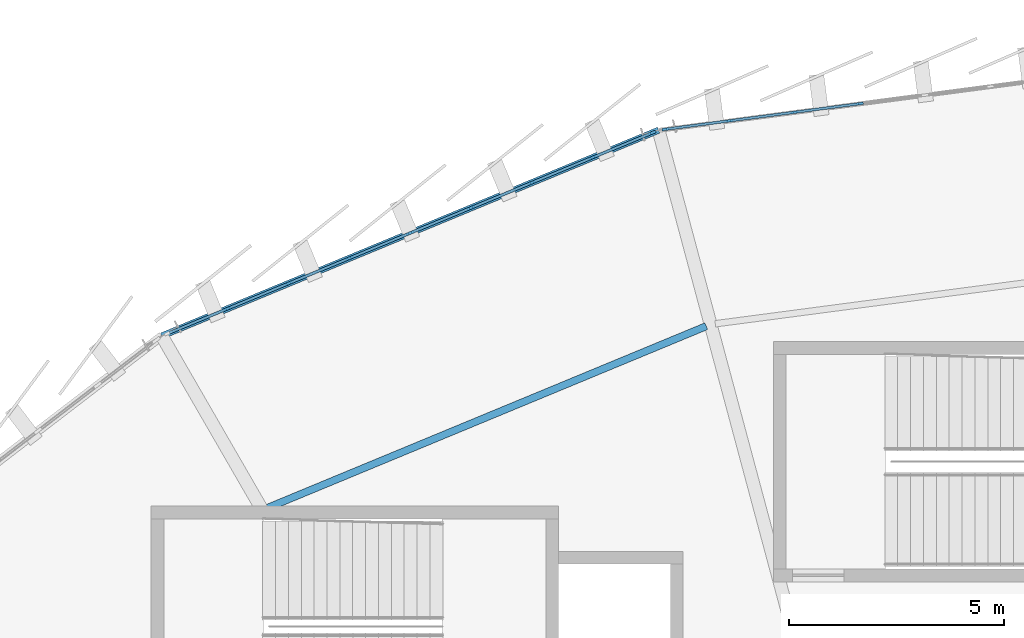
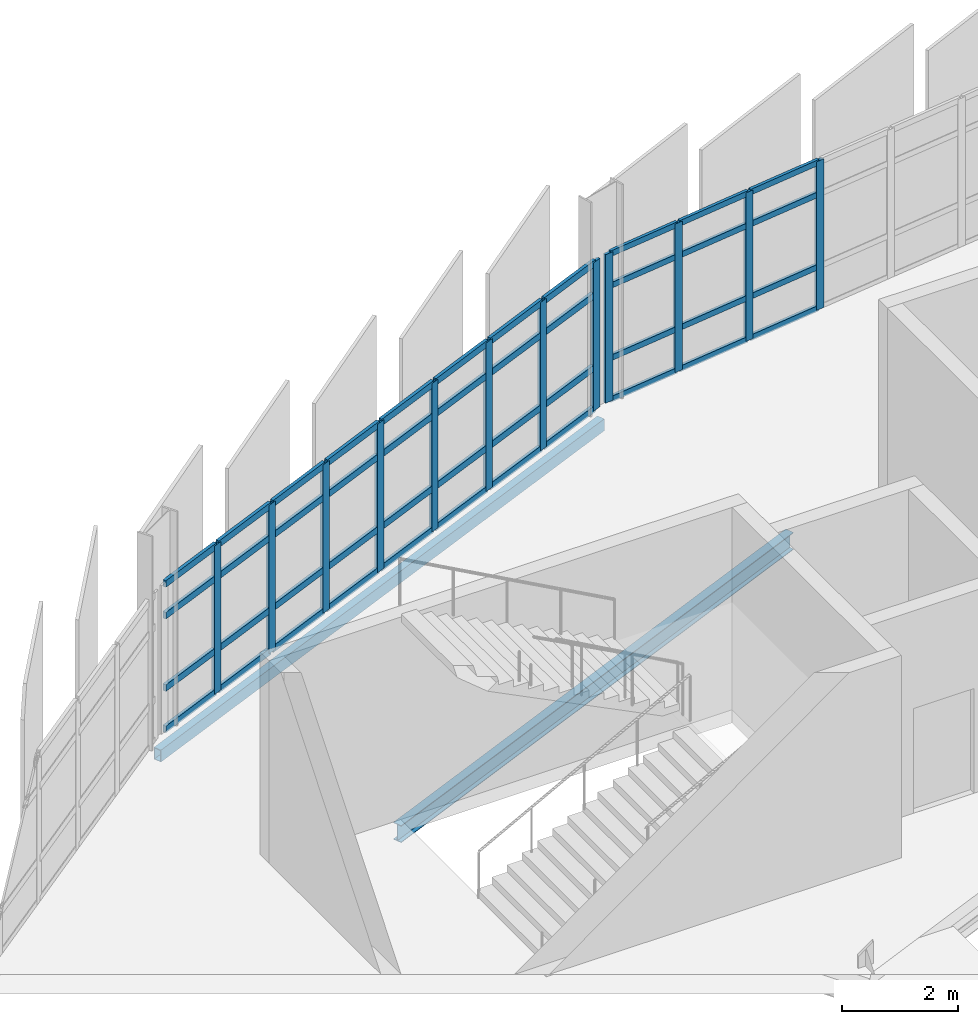
# One storey, part 56 of 134: 56 members, 2 beams, 2 elements without a shape of their own.
"""IFC4 building model written with IfcOpenShell, lengths in metres."""

import ifcopenshell
import ifcopenshell.guid

model = None  # the IFC model being written
_history = None  # IfcOwnerHistory: only IFC2X3 demands one
_inside = {}  # id of a spatial element -> (the spatial element, [elements in it])
_under = {}  # id of a project, library or spatial element -> (it, [spatial elements below it])
_declared = {}  # id of a project -> (the project, [libraries it declares])
_typed = {}  # id of a type object -> (the type object, [elements of that type])
_made_of = {}  # id of a material, layer set ... -> (it, [elements and type objects made of it])


def new_model(schema):
    """Start an empty IFC model of exactly this schema.

    Asked for "IFC4X3", IfcOpenShell would pick the latest addendum, in which some entities
    have other attributes; the version numbers below select the first issue.
    IFC2X3 requires an IfcOwnerHistory on every rooted entity: one is made here for all.
    """
    global model, _history
    if schema == "IFC4X3":
        model = ifcopenshell.file(schema_version=(4, 3, 0, 0))
    else:
        model = ifcopenshell.file(schema=schema)
    _inside.clear()
    _under.clear()
    _declared.clear()
    _typed.clear()
    _made_of.clear()
    _history = None
    if model.schema == "IFC2X3":
        org = make("IfcOrganization", Name="unknown")
        user = make(
            "IfcPersonAndOrganization",
            ThePerson=make("IfcPerson", FamilyName="unknown"),
            TheOrganization=org,
        )
        app = make(
            "IfcApplication",
            ApplicationDeveloper=org,
            Version="unknown",
            ApplicationFullName="unknown",
            ApplicationIdentifier="unknown",
        )
        _history = make(
            "IfcOwnerHistory",
            OwningUser=user,
            OwningApplication=app,
            ChangeAction="ADDED",
            CreationDate=0,
        )
    return model


def make(cls, **values):
    """One entity of the class cls with the attributes given. An attribute that is None is left unset."""
    return model.create_entity(
        cls, **{name: value for name, value in values.items() if value is not None}
    )


def rooted(cls, **values):
    """An entity with a GlobalId (a new one), such as an element, a storey or a relation."""
    return make(cls, GlobalId=ifcopenshell.guid.new(), OwnerHistory=_history, **values)


def si_unit(unit_type, name, prefix=None):
    """IfcSIUnit, for example si_unit("LENGTHUNIT", "METRE", prefix="MILLI")."""
    return make("IfcSIUnit", UnitType=unit_type, Prefix=prefix, Name=name)


def assignment(units):
    """IfcUnitAssignment: the units of a project."""
    return None if units is None else make("IfcUnitAssignment", Units=units)


def point(xyz):
    """IfcCartesianPoint."""
    return None if xyz is None else make("IfcCartesianPoint", Coordinates=xyz)


def direction(xyz):
    """IfcDirection."""
    return None if xyz is None else make("IfcDirection", DirectionRatios=xyz)


def frame(location, z_axis=None, x_axis=None):
    """IfcAxis2Placement3D, a coordinate frame: its origin and axes. An axis left out is left unset."""
    return make(
        "IfcAxis2Placement3D",
        Location=point(location),
        Axis=direction(z_axis),
        RefDirection=direction(x_axis),
    )


def frame_2d(location, x_axis=None):
    """IfcAxis2Placement2D, a coordinate frame in the plane: its origin and x axis."""
    return make(
        "IfcAxis2Placement2D", Location=point(location), RefDirection=direction(x_axis)
    )


def origin():
    """The frame at (0, 0, 0) with its axes left unset."""
    return frame((0.0, 0.0, 0.0))


def origin_2d():
    """The frame at (0, 0) in the plane with its x axis left unset."""
    return frame_2d((0.0, 0.0))


def place(relative_to, where):
    """IfcLocalPlacement: puts the frame where relative to a parent placement (None: the world)."""
    return make(
        "IfcLocalPlacement", PlacementRelTo=relative_to, RelativePlacement=where
    )


def context(
    kind, dimensions, precision=None, world=None, true_north=None, identifier=None
):
    """IfcGeometricRepresentationContext, for example the 3D "Model" context."""
    return make(
        "IfcGeometricRepresentationContext",
        ContextIdentifier=identifier,
        ContextType=kind,
        CoordinateSpaceDimension=dimensions,
        Precision=precision,
        WorldCoordinateSystem=world,
        TrueNorth=true_north,
    )


def subcontext(parent, identifier, kind, view, scale=None):
    """IfcGeometricRepresentationSubContext, for example "Body" below "Model"."""
    return make(
        "IfcGeometricRepresentationSubContext",
        ContextIdentifier=identifier,
        ContextType=kind,
        ParentContext=parent,
        TargetScale=scale,
        TargetView=view,
    )


def project(units=None, contexts=None):
    """IfcProject with its units and contexts."""
    return rooted(
        "IfcProject",
        Name="project",
        RepresentationContexts=contexts,
        UnitsInContext=assignment(units),
    )


def spatial(cls, under=None, at=None, **own):
    """A site, building, storey or space (cls), placed at a placement, below another one or the project."""
    s = rooted(cls, ObjectPlacement=at, **own)
    if under is not None:
        _under.setdefault(under.id(), (under, []))[1].append(s)
    return s


def profile(cls, at=None, kind="AREA", **sizes):
    """A parametric profile (cls). Its sizes go by their IFC names, for example OverallWidth=200.0."""
    return make(cls, ProfileType=kind, Position=at, **sizes)


def rectangle(**sizes):
    """IfcRectangleProfileDef."""
    return profile("IfcRectangleProfileDef", **sizes)


def hollow_rectangle(**sizes):
    """IfcRectangleHollowProfileDef."""
    return profile("IfcRectangleHollowProfileDef", **sizes)


def i_section(**sizes):
    """IfcIShapeProfileDef."""
    return profile("IfcIShapeProfileDef", **sizes)


def extrude(swept, where, along, depth):
    """IfcExtrudedAreaSolid: the profile swept, set in the frame where, extruded along a direction by depth."""
    return make(
        "IfcExtrudedAreaSolid",
        SweptArea=swept,
        Position=where,
        ExtrudedDirection=direction(along),
        Depth=depth,
    )


def shape(context_of_items, identifier, shape_type, items):
    """IfcShapeRepresentation: the items that make up one representation, for example the "Body"."""
    return make(
        "IfcShapeRepresentation",
        ContextOfItems=context_of_items,
        RepresentationIdentifier=identifier,
        RepresentationType=shape_type,
        Items=items,
    )


def material(Name=None, Category=None):
    """IfcMaterial."""
    return make("IfcMaterial", Name=Name, Category=Category)


def layer(
    of_material, thickness, ventilated=None, Name=None, Category=None, Priority=None
):
    """IfcMaterialLayer: one layer of a wall or slab, of a material (None: an air gap)."""
    return make(
        "IfcMaterialLayer",
        Material=of_material,
        LayerThickness=thickness,
        IsVentilated=ventilated,
        Name=Name,
        Category=Category,
        Priority=Priority,
    )


def layer_set(layers, Name=None):
    """IfcMaterialLayerSet."""
    return make("IfcMaterialLayerSet", MaterialLayers=layers, LayerSetName=Name)


def material_profile(
    of_material, cross_section, Name=None, Category=None, Priority=None
):
    """IfcMaterialProfile: a cross section and its material."""
    return make(
        "IfcMaterialProfile",
        Name=Name,
        Material=of_material,
        Profile=cross_section,
        Priority=Priority,
        Category=Category,
    )


def profile_set(profiles, Name=None, composite=None):
    """IfcMaterialProfileSet."""
    return make(
        "IfcMaterialProfileSet",
        Name=Name,
        MaterialProfiles=profiles,
        CompositeProfile=composite,
    )


def made_of(thing, what):
    """Note that an element or type object is made of a material, layer set ...; save() writes the relation."""
    if what is not None:
        _made_of.setdefault(what.id(), (what, []))[1].append(thing)
    return thing


def type_object(cls, material=None, **own):
    """A type object (cls), such as IfcWallType, which elements share."""
    return made_of(rooted(cls, **own), material)


def element(
    cls,
    number,
    at=None,
    inside=None,
    cuts=None,
    type_object=None,
    material=None,
    context=None,
    identifier="Body",
    shape_type=None,
    held_by="IfcProductDefinitionShape",
    body=None,
    shapes=None,
    **own,
):
    """One element of the class cls, such as IfcWall. Its Tag is "e" and its number.

    at: its placement. inside: the storey or other place that contains it. cuts: it is an
    opening in that element (IfcRelVoidsElement). A single representation is given by context,
    identifier, shape_type and body (its items); several are given by shapes. held_by: the class
    of the entity that holds the representations. save() writes the other relations.
    """
    e = rooted(cls, Tag="e%d" % number, ObjectPlacement=at, **own)
    if body is not None:
        shapes = [shape(context, identifier, shape_type, body)]
    if shapes is not None:
        e.Representation = make(held_by, Representations=shapes)
    if inside is not None:
        _inside.setdefault(inside.id(), (inside, []))[1].append(e)
    if cuts is not None:
        rooted(
            "IfcRelVoidsElement", RelatingBuildingElement=cuts, RelatedOpeningElement=e
        )
    if type_object is not None:
        _typed.setdefault(type_object.id(), (type_object, []))[1].append(e)
    return made_of(e, material)


def aggregate(whole, parts):
    """IfcRelAggregates: a whole, such as a stair, and the parts it consists of."""
    return rooted("IfcRelAggregates", RelatingObject=whole, RelatedObjects=parts)


def save(model, path):
    """Write the relations noted so far, then the file.

    IfcRelAggregates (storeys below a building ...), IfcRelContainedInSpatialStructure (elements
    in a storey), IfcRelDefinesByType, IfcRelAssociatesMaterial and IfcRelDeclares: one each for
    every whole, place, type object, material and project.
    """
    for whole, parts in _under.values():
        aggregate(whole, parts)
    for where, things in _inside.values():
        rooted(
            "IfcRelContainedInSpatialStructure",
            RelatedElements=things,
            RelatingStructure=where,
        )
    for kind, things in _typed.values():
        rooted("IfcRelDefinesByType", RelatedObjects=things, RelatingType=kind)
    for what, things in _made_of.values():
        rooted("IfcRelAssociatesMaterial", RelatedObjects=things, RelatingMaterial=what)
    for by, libraries in _declared.values():
        rooted("IfcRelDeclares", RelatingContext=by, RelatedDefinitions=libraries)
    model.write(path)


model = new_model("IFC4")

# Units and contexts
model_context = context("Model", 3, precision=1e-05, world=origin(), true_north=direction((0.0, 1.0)))
body_context = subcontext(model_context, "Body", "Model", "MODEL_VIEW")
ifc_project = project(units=[si_unit("LENGTHUNIT", "METRE"), si_unit("AREAUNIT", "SQUARE_METRE"), si_unit("VOLUMEUNIT", "CUBIC_METRE"), si_unit("PLANEANGLEUNIT", "RADIAN"), si_unit("MASSUNIT", "GRAM", prefix="KILO")], contexts=[model_context])

# Site, building, storey
site_placement = place(None, origin())
site = spatial("IfcSite", under=ifc_project, at=site_placement, CompositionType="ELEMENT")
building_placement = place(site_placement, origin())
building = spatial("IfcBuilding", under=site, at=building_placement, Name="Sohan Crest Arena", CompositionType="ELEMENT")
storey_placement = place(building_placement, frame((0.0, 0.0, 4.5)))
storey = spatial("IfcBuildingStorey", under=building, at=storey_placement, Name="L01", CompositionType="ELEMENT", Elevation=4.5)

# Curtain wall, members
ifc_material_1 = material(Name="Thermally broken anodised aluminium", Category="aluminium")
ifc_layer_1 = layer(ifc_material_1, 0.179931640625, Name="Thermally broken anodised aluminium")
ifc_layer_set_1 = layer_set([ifc_layer_1], Name="Thermally broken anodised aluminium")
curtain_wall_type_1 = type_object("IfcCurtainWallType", Name="ARC-CW01", PredefinedType="NOTDEFINED", material=ifc_layer_set_1)
curtain_wall_1_placement = place(storey_placement, origin())
curtain_wall_1 = element("IfcCurtainWall", 1, at=curtain_wall_1_placement, inside=storey, type_object=curtain_wall_type_1, Name="Unitised curtain wall CW-020", PredefinedType="NOTDEFINED")
ifc_material_profile_1 = material_profile(ifc_material_1, rectangle(XDim=0.06005859375, YDim=0.159912109375, at=origin_2d()), Name="ALU-MULL 60x160")
ifc_profile_set_1 = profile_set([ifc_material_profile_1], Name="Thermally broken anodised aluminium")
member_type_1 = type_object("IfcMemberType", Name="ARC-CW-ML01", PredefinedType="MULLION", material=ifc_profile_set_1)
member_1_placement = place(storey_placement, frame((90.267822265625, 124.981689453125, 0.0), z_axis=(0.0, 0.0, 1.0), x_axis=(0.130562031094, -0.991440142438, 0.0)))
member_1 = element("IfcMember", 2, at=member_1_placement, type_object=member_type_1, Name="CW-020 mullion 6", PredefinedType="MULLION", context=body_context, shape_type="SweptSolid", body=[
    extrude(rectangle(XDim=0.06005859375, YDim=0.159912109375, at=origin_2d()), origin(), (0.0, 0.0, 1.0), 3.1201171875),
])
member_2_placement = place(storey_placement, frame((88.747314453125, 124.781494140625, 0.0), z_axis=(0.0, 0.0, 1.0), x_axis=(0.130562031094, -0.991440142438, 0.0)))
member_2 = element("IfcMember", 3, at=member_2_placement, type_object=member_type_1, Name="CW-020 mullion 7", PredefinedType="MULLION", context=body_context, shape_type="SweptSolid", body=[
    extrude(rectangle(XDim=0.06005859375, YDim=0.159912109375, at=origin_2d()), origin(), (0.0, 0.0, 1.0), 3.1201171875),
])
member_3_placement = place(storey_placement, frame((87.2265625, 124.581298828125, 0.0), z_axis=(0.0, 0.0, 1.0), x_axis=(0.130562031094, -0.991440142438, 0.0)))
member_3 = element("IfcMember", 4, at=member_3_placement, type_object=member_type_1, Name="CW-020 mullion 8", PredefinedType="MULLION", context=body_context, shape_type="SweptSolid", body=[
    extrude(rectangle(XDim=0.06005859375, YDim=0.159912109375, at=origin_2d()), origin(), (0.0, 0.0, 1.0), 3.1201171875),
])
member_4_placement = place(storey_placement, frame((85.73583984375, 124.385009765625, 0.0), z_axis=(0.0, 0.0, 1.0), x_axis=(0.130562031094, -0.991440142438, 0.0)))
member_4 = element("IfcMember", 5, at=member_4_placement, type_object=member_type_1, Name="CW-020 mullion 9", PredefinedType="MULLION", context=body_context, shape_type="SweptSolid", body=[
    extrude(rectangle(XDim=0.06005859375, YDim=0.159912109375, at=origin_2d()), origin(), (0.0, 0.0, 1.0), 3.1201171875),
])

ifc_layer_2 = layer(ifc_material_1, 0.199951171875, Name="Thermally broken anodised aluminium")
ifc_layer_set_2 = layer_set([ifc_layer_2], Name="Thermally broken anodised aluminium")
curtain_wall_type_2 = type_object("IfcCurtainWallType", Name="ARC-CW02", PredefinedType="NOTDEFINED", material=ifc_layer_set_2)
curtain_wall_2_placement = place(storey_placement, origin())
curtain_wall_2 = element("IfcCurtainWall", 6, at=curtain_wall_2_placement, inside=storey, type_object=curtain_wall_type_2, Name="Unitised curtain wall CW-021", PredefinedType="NOTDEFINED")
ifc_material_profile_2 = material_profile(ifc_material_1, rectangle(XDim=0.06494140625, YDim=0.179931640625, at=origin_2d()), Name="ALU-MULL 65x180")
ifc_profile_set_2 = profile_set([ifc_material_profile_2], Name="Thermally broken anodised aluminium")
member_type_2 = type_object("IfcMemberType", Name="ARC-CW-ML02", PredefinedType="MULLION", material=ifc_profile_set_2)
member_5_placement = place(storey_placement, frame((85.427001953125, 124.301513671875, 0.0), z_axis=(0.0, 0.0, 1.0), x_axis=(0.382618103525, -0.923906589897, 0.0)))
member_5 = element("IfcMember", 7, at=member_5_placement, type_object=member_type_2, Name="CW-021 mullion 1", PredefinedType="MULLION", context=body_context, shape_type="SweptSolid", body=[
    extrude(rectangle(XDim=0.06494140625, YDim=0.179931640625, at=origin_2d()), origin(), (0.0, 0.0, 1.0), 3.1201171875),
])
member_6_placement = place(storey_placement, frame((84.039794921875, 123.72705078125, 0.0), z_axis=(0.0, 0.0, 1.0), x_axis=(0.382618103525, -0.923906589897, 0.0)))
member_6 = element("IfcMember", 8, at=member_6_placement, type_object=member_type_2, Name="CW-021 mullion 2", PredefinedType="MULLION", context=body_context, shape_type="SweptSolid", body=[
    extrude(rectangle(XDim=0.06494140625, YDim=0.179931640625, at=origin_2d()), origin(), (0.0, 0.0, 1.0), 3.1201171875),
])
member_7_placement = place(storey_placement, frame((82.622802734375, 123.14013671875, 0.0), z_axis=(0.0, 0.0, 1.0), x_axis=(0.382618103525, -0.923906589897, 0.0)))
member_7 = element("IfcMember", 9, at=member_7_placement, type_object=member_type_2, Name="CW-021 mullion 3", PredefinedType="MULLION", context=body_context, shape_type="SweptSolid", body=[
    extrude(rectangle(XDim=0.06494140625, YDim=0.179931640625, at=origin_2d()), origin(), (0.0, 0.0, 1.0), 3.1201171875),
])
member_8_placement = place(storey_placement, frame((81.20556640625, 122.553466796875, 0.0), z_axis=(0.0, 0.0, 1.0), x_axis=(0.382618103525, -0.923906589897, 0.0)))
member_8 = element("IfcMember", 10, at=member_8_placement, type_object=member_type_2, Name="CW-021 mullion 4", PredefinedType="MULLION", context=body_context, shape_type="SweptSolid", body=[
    extrude(rectangle(XDim=0.06494140625, YDim=0.179931640625, at=origin_2d()), origin(), (0.0, 0.0, 1.0), 3.1201171875),
])
member_9_placement = place(storey_placement, frame((79.78857421875, 121.966552734375, 0.0), z_axis=(0.0, 0.0, 1.0), x_axis=(0.382618103525, -0.923906589897, 0.0)))
member_9 = element("IfcMember", 11, at=member_9_placement, type_object=member_type_2, Name="CW-021 mullion 5", PredefinedType="MULLION", context=body_context, shape_type="SweptSolid", body=[
    extrude(rectangle(XDim=0.06494140625, YDim=0.179931640625, at=origin_2d()), origin(), (0.0, 0.0, 1.0), 3.1201171875),
])
member_10_placement = place(storey_placement, frame((78.371337890625, 121.379638671875, 0.0), z_axis=(0.0, 0.0, 1.0), x_axis=(0.382618103525, -0.923906589897, 0.0)))
member_10 = element("IfcMember", 12, at=member_10_placement, type_object=member_type_2, Name="CW-021 mullion 6", PredefinedType="MULLION", context=body_context, shape_type="SweptSolid", body=[
    extrude(rectangle(XDim=0.06494140625, YDim=0.179931640625, at=origin_2d()), origin(), (0.0, 0.0, 1.0), 3.1201171875),
])
member_11_placement = place(storey_placement, frame((76.954345703125, 120.792724609375, 0.0), z_axis=(0.0, 0.0, 1.0), x_axis=(0.382618103525, -0.923906589897, 0.0)))
member_11 = element("IfcMember", 13, at=member_11_placement, type_object=member_type_2, Name="CW-021 mullion 7", PredefinedType="MULLION", context=body_context, shape_type="SweptSolid", body=[
    extrude(rectangle(XDim=0.06494140625, YDim=0.179931640625, at=origin_2d()), origin(), (0.0, 0.0, 1.0), 3.1201171875),
])
member_12_placement = place(storey_placement, frame((75.537109375, 120.205810546875, 0.0), z_axis=(0.0, 0.0, 1.0), x_axis=(0.382618103525, -0.923906589897, 0.0)))
member_12 = element("IfcMember", 14, at=member_12_placement, type_object=member_type_2, Name="CW-021 mullion 8", PredefinedType="MULLION", context=body_context, shape_type="SweptSolid", body=[
    extrude(rectangle(XDim=0.06494140625, YDim=0.179931640625, at=origin_2d()), origin(), (0.0, 0.0, 1.0), 3.1201171875),
])

# Member
ifc_material_profile_3 = material_profile(ifc_material_1, rectangle(XDim=0.06005859375, YDim=0.1201171875, at=origin_2d()), Name="ALU-TRAN 60x120")
ifc_profile_set_3 = profile_set([ifc_material_profile_3], Name="Thermally broken anodised aluminium")
member_type_3 = type_object("IfcMemberType", Name="ARC-CW-TR01", PredefinedType="USERDEFINED", material=ifc_profile_set_3)
member_13_placement = place(storey_placement, frame((90.238037109375, 124.977783203125, 0.030029296875), z_axis=(-0.991440755943, -0.130557372273, 0.0), x_axis=(0.130557372273, -0.991440755943, 0.0)))
member_13 = element("IfcMember", 15, at=member_13_placement, type_object=member_type_3, Name="CW-020 transom 6.1", ObjectType="TRANSOM", PredefinedType="USERDEFINED", context=body_context, shape_type="SweptSolid", body=[
    extrude(rectangle(XDim=0.06005859375, YDim=0.1201171875, at=origin_2d()), origin(), (0.0, 0.0, 1.0), 1.4736328125),
])

member_14_placement = place(storey_placement, frame((90.238037109375, 124.977783203125, 0.89990234375), z_axis=(-0.991440755943, -0.130557372273, 0.0), x_axis=(0.130557372273, -0.991440755943, 0.0)))
member_14 = element("IfcMember", 16, at=member_14_placement, type_object=member_type_3, Name="CW-020 transom 6.2", ObjectType="TRANSOM", PredefinedType="USERDEFINED", context=body_context, shape_type="SweptSolid", body=[
    extrude(rectangle(XDim=0.06005859375, YDim=0.1201171875, at=origin_2d()), origin(), (0.0, 0.0, 1.0), 1.4736328125),
])

member_15_placement = place(storey_placement, frame((90.238037109375, 124.977783203125, 2.419921875), z_axis=(-0.991440755943, -0.130557372273, 0.0), x_axis=(0.130557372273, -0.991440755943, 0.0)))
member_15 = element("IfcMember", 17, at=member_15_placement, type_object=member_type_3, Name="CW-020 transom 6.3", ObjectType="TRANSOM", PredefinedType="USERDEFINED", context=body_context, shape_type="SweptSolid", body=[
    extrude(rectangle(XDim=0.06005859375, YDim=0.1201171875, at=origin_2d()), origin(), (0.0, 0.0, 1.0), 1.4736328125),
])

member_16_placement = place(storey_placement, frame((90.238037109375, 124.977783203125, 3.090087890625), z_axis=(-0.991440755943, -0.130557372273, 0.0), x_axis=(0.130557372273, -0.991440755943, 0.0)))
member_16 = element("IfcMember", 18, at=member_16_placement, type_object=member_type_3, Name="CW-020 transom 6.4", ObjectType="TRANSOM", PredefinedType="USERDEFINED", context=body_context, shape_type="SweptSolid", body=[
    extrude(rectangle(XDim=0.06005859375, YDim=0.1201171875, at=origin_2d()), origin(), (0.0, 0.0, 1.0), 1.4736328125),
])

member_17_placement = place(storey_placement, frame((88.717529296875, 124.777587890625, 0.030029296875), z_axis=(-0.991443579334, -0.130535929911, 0.0), x_axis=(0.130535929911, -0.991443579334, 0.0)))
member_17 = element("IfcMember", 19, at=member_17_placement, type_object=member_type_3, Name="CW-020 transom 7.1", ObjectType="TRANSOM", PredefinedType="USERDEFINED", context=body_context, shape_type="SweptSolid", body=[
    extrude(rectangle(XDim=0.06005859375, YDim=0.1201171875, at=origin_2d()), origin(), (0.0, 0.0, 1.0), 1.473876953125),
])

member_18_placement = place(storey_placement, frame((88.717529296875, 124.777587890625, 0.89990234375), z_axis=(-0.991443579334, -0.130535929911, 0.0), x_axis=(0.130535929911, -0.991443579334, 0.0)))
member_18 = element("IfcMember", 20, at=member_18_placement, type_object=member_type_3, Name="CW-020 transom 7.2", ObjectType="TRANSOM", PredefinedType="USERDEFINED", context=body_context, shape_type="SweptSolid", body=[
    extrude(rectangle(XDim=0.06005859375, YDim=0.1201171875, at=origin_2d()), origin(), (0.0, 0.0, 1.0), 1.473876953125),
])

member_19_placement = place(storey_placement, frame((88.717529296875, 124.777587890625, 2.419921875), z_axis=(-0.991443579334, -0.130535929911, 0.0), x_axis=(0.130535929911, -0.991443579334, 0.0)))
member_19 = element("IfcMember", 21, at=member_19_placement, type_object=member_type_3, Name="CW-020 transom 7.3", ObjectType="TRANSOM", PredefinedType="USERDEFINED", context=body_context, shape_type="SweptSolid", body=[
    extrude(rectangle(XDim=0.06005859375, YDim=0.1201171875, at=origin_2d()), origin(), (0.0, 0.0, 1.0), 1.473876953125),
])

member_20_placement = place(storey_placement, frame((88.717529296875, 124.777587890625, 3.090087890625), z_axis=(-0.991443579334, -0.130535929911, 0.0), x_axis=(0.130535929911, -0.991443579334, 0.0)))
member_20 = element("IfcMember", 22, at=member_20_placement, type_object=member_type_3, Name="CW-020 transom 7.4", ObjectType="TRANSOM", PredefinedType="USERDEFINED", context=body_context, shape_type="SweptSolid", body=[
    extrude(rectangle(XDim=0.06005859375, YDim=0.1201171875, at=origin_2d()), origin(), (0.0, 0.0, 1.0), 1.473876953125),
])

member_21_placement = place(storey_placement, frame((87.19677734375, 124.577392578125, 0.030029296875), z_axis=(-0.991442204385, -0.130546372469, 0.0), x_axis=(0.130546372469, -0.991442204385, 0.0)))
member_21 = element("IfcMember", 23, at=member_21_placement, type_object=member_type_3, Name="CW-020 transom 8.1", ObjectType="TRANSOM", PredefinedType="USERDEFINED", context=body_context, shape_type="SweptSolid", body=[
    extrude(rectangle(XDim=0.06005859375, YDim=0.1201171875, at=origin_2d()), origin(), (0.0, 0.0, 1.0), 1.44384765625),
])

member_22_placement = place(storey_placement, frame((87.19677734375, 124.577392578125, 0.89990234375), z_axis=(-0.991442204385, -0.130546372469, 0.0), x_axis=(0.130546372469, -0.991442204385, 0.0)))
member_22 = element("IfcMember", 24, at=member_22_placement, type_object=member_type_3, Name="CW-020 transom 8.2", ObjectType="TRANSOM", PredefinedType="USERDEFINED", context=body_context, shape_type="SweptSolid", body=[
    extrude(rectangle(XDim=0.06005859375, YDim=0.1201171875, at=origin_2d()), origin(), (0.0, 0.0, 1.0), 1.44384765625),
])

member_23_placement = place(storey_placement, frame((87.19677734375, 124.577392578125, 2.419921875), z_axis=(-0.991442204385, -0.130546372469, 0.0), x_axis=(0.130546372469, -0.991442204385, 0.0)))
member_23 = element("IfcMember", 25, at=member_23_placement, type_object=member_type_3, Name="CW-020 transom 8.3", ObjectType="TRANSOM", PredefinedType="USERDEFINED", context=body_context, shape_type="SweptSolid", body=[
    extrude(rectangle(XDim=0.06005859375, YDim=0.1201171875, at=origin_2d()), origin(), (0.0, 0.0, 1.0), 1.44384765625),
])

member_24_placement = place(storey_placement, frame((87.19677734375, 124.577392578125, 3.090087890625), z_axis=(-0.991442204385, -0.130546372469, 0.0), x_axis=(0.130546372469, -0.991442204385, 0.0)))
member_24 = element("IfcMember", 26, at=member_24_placement, type_object=member_type_3, Name="CW-020 transom 8.4", ObjectType="TRANSOM", PredefinedType="USERDEFINED", context=body_context, shape_type="SweptSolid", body=[
    extrude(rectangle(XDim=0.06005859375, YDim=0.1201171875, at=origin_2d()), origin(), (0.0, 0.0, 1.0), 1.44384765625),
])

aggregate(curtain_wall_1, [member_1, member_2, member_3, member_4, member_13, member_14, member_15, member_16, member_17, member_18, member_19, member_20, member_21, member_22, member_23, member_24])

ifc_material_profile_4 = material_profile(ifc_material_1, rectangle(XDim=0.06494140625, YDim=0.139892578125, at=origin_2d()), Name="ALU-TRAN 65x140")
ifc_profile_set_4 = profile_set([ifc_material_profile_4], Name="Thermally broken anodised aluminium")
member_type_4 = type_object("IfcMemberType", Name="ARC-CW-TR02", PredefinedType="USERDEFINED", material=ifc_profile_set_4)
member_25_placement = place(storey_placement, frame((85.39697265625, 124.2890625, 0.032470703125), z_axis=(-0.92391948351, -0.382586967878, 0.0), x_axis=(0.382586967878, -0.92391948351, 0.0)))
member_25 = element("IfcMember", 27, at=member_25_placement, type_object=member_type_4, Name="CW-021 transom 1.1", ObjectType="TRANSOM", PredefinedType="USERDEFINED", context=body_context, shape_type="SweptSolid", body=[
    extrude(rectangle(XDim=0.06494140625, YDim=0.139892578125, at=origin_2d()), origin(), (0.0, 0.0, 1.0), 1.4365234375),
])

member_26_placement = place(storey_placement, frame((85.39697265625, 124.2890625, 0.89990234375), z_axis=(-0.92391948351, -0.382586967878, 0.0), x_axis=(0.382586967878, -0.92391948351, 0.0)))
member_26 = element("IfcMember", 28, at=member_26_placement, type_object=member_type_4, Name="CW-021 transom 1.2", ObjectType="TRANSOM", PredefinedType="USERDEFINED", context=body_context, shape_type="SweptSolid", body=[
    extrude(rectangle(XDim=0.06494140625, YDim=0.139892578125, at=origin_2d()), origin(), (0.0, 0.0, 1.0), 1.4365234375),
])

member_27_placement = place(storey_placement, frame((85.39697265625, 124.2890625, 2.419921875), z_axis=(-0.92391948351, -0.382586967878, 0.0), x_axis=(0.382586967878, -0.92391948351, 0.0)))
member_27 = element("IfcMember", 29, at=member_27_placement, type_object=member_type_4, Name="CW-021 transom 1.3", ObjectType="TRANSOM", PredefinedType="USERDEFINED", context=body_context, shape_type="SweptSolid", body=[
    extrude(rectangle(XDim=0.06494140625, YDim=0.139892578125, at=origin_2d()), origin(), (0.0, 0.0, 1.0), 1.4365234375),
])

member_28_placement = place(storey_placement, frame((85.39697265625, 124.2890625, 3.08740234375), z_axis=(-0.92391948351, -0.382586967878, 0.0), x_axis=(0.382586967878, -0.92391948351, 0.0)))
member_28 = element("IfcMember", 30, at=member_28_placement, type_object=member_type_4, Name="CW-021 transom 1.4", ObjectType="TRANSOM", PredefinedType="USERDEFINED", context=body_context, shape_type="SweptSolid", body=[
    extrude(rectangle(XDim=0.06494140625, YDim=0.139892578125, at=origin_2d()), origin(), (0.0, 0.0, 1.0), 1.4365234375),
])

member_29_placement = place(storey_placement, frame((84.009765625, 123.714599609375, 0.032470703125), z_axis=(-0.923891226159, -0.382655200183, 0.0), x_axis=(0.382655200183, -0.923891226159, 0.0)))
member_29 = element("IfcMember", 31, at=member_29_placement, type_object=member_type_4, Name="CW-021 transom 2.1", ObjectType="TRANSOM", PredefinedType="USERDEFINED", context=body_context, shape_type="SweptSolid", body=[
    extrude(rectangle(XDim=0.06494140625, YDim=0.139892578125, at=origin_2d()), origin(), (0.0, 0.0, 1.0), 1.46875),
])

member_30_placement = place(storey_placement, frame((84.009765625, 123.714599609375, 0.89990234375), z_axis=(-0.923891226159, -0.382655200183, 0.0), x_axis=(0.382655200183, -0.923891226159, 0.0)))
member_30 = element("IfcMember", 32, at=member_30_placement, type_object=member_type_4, Name="CW-021 transom 2.2", ObjectType="TRANSOM", PredefinedType="USERDEFINED", context=body_context, shape_type="SweptSolid", body=[
    extrude(rectangle(XDim=0.06494140625, YDim=0.139892578125, at=origin_2d()), origin(), (0.0, 0.0, 1.0), 1.46875),
])

member_31_placement = place(storey_placement, frame((84.009765625, 123.714599609375, 2.419921875), z_axis=(-0.923891226159, -0.382655200183, 0.0), x_axis=(0.382655200183, -0.923891226159, 0.0)))
member_31 = element("IfcMember", 33, at=member_31_placement, type_object=member_type_4, Name="CW-021 transom 2.3", ObjectType="TRANSOM", PredefinedType="USERDEFINED", context=body_context, shape_type="SweptSolid", body=[
    extrude(rectangle(XDim=0.06494140625, YDim=0.139892578125, at=origin_2d()), origin(), (0.0, 0.0, 1.0), 1.46875),
])

member_32_placement = place(storey_placement, frame((84.009765625, 123.714599609375, 3.08740234375), z_axis=(-0.923891226159, -0.382655200183, 0.0), x_axis=(0.382655200183, -0.923891226159, 0.0)))
member_32 = element("IfcMember", 34, at=member_32_placement, type_object=member_type_4, Name="CW-021 transom 2.4", ObjectType="TRANSOM", PredefinedType="USERDEFINED", context=body_context, shape_type="SweptSolid", body=[
    extrude(rectangle(XDim=0.06494140625, YDim=0.139892578125, at=origin_2d()), origin(), (0.0, 0.0, 1.0), 1.46875),
])

member_33_placement = place(storey_placement, frame((82.5927734375, 123.1279296875, 0.032470703125), z_axis=(-0.923915560383, -0.382596441806, 0.0), x_axis=(0.382596441806, -0.923915560383, 0.0)))
member_33 = element("IfcMember", 35, at=member_33_placement, type_object=member_type_4, Name="CW-021 transom 3.1", ObjectType="TRANSOM", PredefinedType="USERDEFINED", context=body_context, shape_type="SweptSolid", body=[
    extrude(rectangle(XDim=0.06494140625, YDim=0.139892578125, at=origin_2d()), origin(), (0.0, 0.0, 1.0), 1.468994140625),
])

member_34_placement = place(storey_placement, frame((82.5927734375, 123.1279296875, 0.89990234375), z_axis=(-0.923915560383, -0.382596441806, 0.0), x_axis=(0.382596441806, -0.923915560383, 0.0)))
member_34 = element("IfcMember", 36, at=member_34_placement, type_object=member_type_4, Name="CW-021 transom 3.2", ObjectType="TRANSOM", PredefinedType="USERDEFINED", context=body_context, shape_type="SweptSolid", body=[
    extrude(rectangle(XDim=0.06494140625, YDim=0.139892578125, at=origin_2d()), origin(), (0.0, 0.0, 1.0), 1.468994140625),
])

member_35_placement = place(storey_placement, frame((82.5927734375, 123.1279296875, 2.419921875), z_axis=(-0.923915560383, -0.382596441806, 0.0), x_axis=(0.382596441806, -0.923915560383, 0.0)))
member_35 = element("IfcMember", 37, at=member_35_placement, type_object=member_type_4, Name="CW-021 transom 3.3", ObjectType="TRANSOM", PredefinedType="USERDEFINED", context=body_context, shape_type="SweptSolid", body=[
    extrude(rectangle(XDim=0.06494140625, YDim=0.139892578125, at=origin_2d()), origin(), (0.0, 0.0, 1.0), 1.468994140625),
])

member_36_placement = place(storey_placement, frame((82.5927734375, 123.1279296875, 3.08740234375), z_axis=(-0.923915560383, -0.382596441806, 0.0), x_axis=(0.382596441806, -0.923915560383, 0.0)))
member_36 = element("IfcMember", 38, at=member_36_placement, type_object=member_type_4, Name="CW-021 transom 3.4", ObjectType="TRANSOM", PredefinedType="USERDEFINED", context=body_context, shape_type="SweptSolid", body=[
    extrude(rectangle(XDim=0.06494140625, YDim=0.139892578125, at=origin_2d()), origin(), (0.0, 0.0, 1.0), 1.468994140625),
])

member_37_placement = place(storey_placement, frame((81.175537109375, 122.541015625, 0.032470703125), z_axis=(-0.923891226159, -0.382655200183, 0.0), x_axis=(0.382655200183, -0.923891226159, 0.0)))
member_37 = element("IfcMember", 39, at=member_37_placement, type_object=member_type_4, Name="CW-021 transom 4.1", ObjectType="TRANSOM", PredefinedType="USERDEFINED", context=body_context, shape_type="SweptSolid", body=[
    extrude(rectangle(XDim=0.06494140625, YDim=0.139892578125, at=origin_2d()), origin(), (0.0, 0.0, 1.0), 1.46875),
])

member_38_placement = place(storey_placement, frame((81.175537109375, 122.541015625, 0.89990234375), z_axis=(-0.923891226159, -0.382655200183, 0.0), x_axis=(0.382655200183, -0.923891226159, 0.0)))
member_38 = element("IfcMember", 40, at=member_38_placement, type_object=member_type_4, Name="CW-021 transom 4.2", ObjectType="TRANSOM", PredefinedType="USERDEFINED", context=body_context, shape_type="SweptSolid", body=[
    extrude(rectangle(XDim=0.06494140625, YDim=0.139892578125, at=origin_2d()), origin(), (0.0, 0.0, 1.0), 1.46875),
])

member_39_placement = place(storey_placement, frame((81.175537109375, 122.541015625, 2.419921875), z_axis=(-0.923891226159, -0.382655200183, 0.0), x_axis=(0.382655200183, -0.923891226159, 0.0)))
member_39 = element("IfcMember", 41, at=member_39_placement, type_object=member_type_4, Name="CW-021 transom 4.3", ObjectType="TRANSOM", PredefinedType="USERDEFINED", context=body_context, shape_type="SweptSolid", body=[
    extrude(rectangle(XDim=0.06494140625, YDim=0.139892578125, at=origin_2d()), origin(), (0.0, 0.0, 1.0), 1.46875),
])

member_40_placement = place(storey_placement, frame((81.175537109375, 122.541015625, 3.08740234375), z_axis=(-0.923891226159, -0.382655200183, 0.0), x_axis=(0.382655200183, -0.923891226159, 0.0)))
member_40 = element("IfcMember", 42, at=member_40_placement, type_object=member_type_4, Name="CW-021 transom 4.4", ObjectType="TRANSOM", PredefinedType="USERDEFINED", context=body_context, shape_type="SweptSolid", body=[
    extrude(rectangle(XDim=0.06494140625, YDim=0.139892578125, at=origin_2d()), origin(), (0.0, 0.0, 1.0), 1.46875),
])

member_41_placement = place(storey_placement, frame((79.758544921875, 121.9541015625, 0.032470703125), z_axis=(-0.923915560383, -0.382596441806, 0.0), x_axis=(0.382596441806, -0.923915560383, 0.0)))
member_41 = element("IfcMember", 43, at=member_41_placement, type_object=member_type_4, Name="CW-021 transom 5.1", ObjectType="TRANSOM", PredefinedType="USERDEFINED", context=body_context, shape_type="SweptSolid", body=[
    extrude(rectangle(XDim=0.06494140625, YDim=0.139892578125, at=origin_2d()), origin(), (0.0, 0.0, 1.0), 1.468994140625),
])

member_42_placement = place(storey_placement, frame((79.758544921875, 121.9541015625, 0.89990234375), z_axis=(-0.923915560383, -0.382596441806, 0.0), x_axis=(0.382596441806, -0.923915560383, 0.0)))
member_42 = element("IfcMember", 44, at=member_42_placement, type_object=member_type_4, Name="CW-021 transom 5.2", ObjectType="TRANSOM", PredefinedType="USERDEFINED", context=body_context, shape_type="SweptSolid", body=[
    extrude(rectangle(XDim=0.06494140625, YDim=0.139892578125, at=origin_2d()), origin(), (0.0, 0.0, 1.0), 1.468994140625),
])

member_43_placement = place(storey_placement, frame((79.758544921875, 121.9541015625, 2.419921875), z_axis=(-0.923915560383, -0.382596441806, 0.0), x_axis=(0.382596441806, -0.923915560383, 0.0)))
member_43 = element("IfcMember", 45, at=member_43_placement, type_object=member_type_4, Name="CW-021 transom 5.3", ObjectType="TRANSOM", PredefinedType="USERDEFINED", context=body_context, shape_type="SweptSolid", body=[
    extrude(rectangle(XDim=0.06494140625, YDim=0.139892578125, at=origin_2d()), origin(), (0.0, 0.0, 1.0), 1.468994140625),
])

member_44_placement = place(storey_placement, frame((79.758544921875, 121.9541015625, 3.08740234375), z_axis=(-0.923915560383, -0.382596441806, 0.0), x_axis=(0.382596441806, -0.923915560383, 0.0)))
member_44 = element("IfcMember", 46, at=member_44_placement, type_object=member_type_4, Name="CW-021 transom 5.4", ObjectType="TRANSOM", PredefinedType="USERDEFINED", context=body_context, shape_type="SweptSolid", body=[
    extrude(rectangle(XDim=0.06494140625, YDim=0.139892578125, at=origin_2d()), origin(), (0.0, 0.0, 1.0), 1.468994140625),
])

member_45_placement = place(storey_placement, frame((78.34130859375, 121.3671875, 0.032470703125), z_axis=(-0.923891226159, -0.382655200183, 0.0), x_axis=(0.382655200183, -0.923891226159, 0.0)))
member_45 = element("IfcMember", 47, at=member_45_placement, type_object=member_type_4, Name="CW-021 transom 6.1", ObjectType="TRANSOM", PredefinedType="USERDEFINED", context=body_context, shape_type="SweptSolid", body=[
    extrude(rectangle(XDim=0.06494140625, YDim=0.139892578125, at=origin_2d()), origin(), (0.0, 0.0, 1.0), 1.46875),
])

member_46_placement = place(storey_placement, frame((78.34130859375, 121.3671875, 0.89990234375), z_axis=(-0.923891226159, -0.382655200183, 0.0), x_axis=(0.382655200183, -0.923891226159, 0.0)))
member_46 = element("IfcMember", 48, at=member_46_placement, type_object=member_type_4, Name="CW-021 transom 6.2", ObjectType="TRANSOM", PredefinedType="USERDEFINED", context=body_context, shape_type="SweptSolid", body=[
    extrude(rectangle(XDim=0.06494140625, YDim=0.139892578125, at=origin_2d()), origin(), (0.0, 0.0, 1.0), 1.46875),
])

member_47_placement = place(storey_placement, frame((78.34130859375, 121.3671875, 2.419921875), z_axis=(-0.923891226159, -0.382655200183, 0.0), x_axis=(0.382655200183, -0.923891226159, 0.0)))
member_47 = element("IfcMember", 49, at=member_47_placement, type_object=member_type_4, Name="CW-021 transom 6.3", ObjectType="TRANSOM", PredefinedType="USERDEFINED", context=body_context, shape_type="SweptSolid", body=[
    extrude(rectangle(XDim=0.06494140625, YDim=0.139892578125, at=origin_2d()), origin(), (0.0, 0.0, 1.0), 1.46875),
])

member_48_placement = place(storey_placement, frame((78.34130859375, 121.3671875, 3.08740234375), z_axis=(-0.923891226159, -0.382655200183, 0.0), x_axis=(0.382655200183, -0.923891226159, 0.0)))
member_48 = element("IfcMember", 50, at=member_48_placement, type_object=member_type_4, Name="CW-021 transom 6.4", ObjectType="TRANSOM", PredefinedType="USERDEFINED", context=body_context, shape_type="SweptSolid", body=[
    extrude(rectangle(XDim=0.06494140625, YDim=0.139892578125, at=origin_2d()), origin(), (0.0, 0.0, 1.0), 1.46875),
])

member_49_placement = place(storey_placement, frame((76.92431640625, 120.7802734375, 0.032470703125), z_axis=(-0.923915560383, -0.382596441806, 0.0), x_axis=(0.382596441806, -0.923915560383, 0.0)))
member_49 = element("IfcMember", 51, at=member_49_placement, type_object=member_type_4, Name="CW-021 transom 7.1", ObjectType="TRANSOM", PredefinedType="USERDEFINED", context=body_context, shape_type="SweptSolid", body=[
    extrude(rectangle(XDim=0.06494140625, YDim=0.139892578125, at=origin_2d()), origin(), (0.0, 0.0, 1.0), 1.468994140625),
])

member_50_placement = place(storey_placement, frame((76.92431640625, 120.7802734375, 0.89990234375), z_axis=(-0.923915560383, -0.382596441806, 0.0), x_axis=(0.382596441806, -0.923915560383, 0.0)))
member_50 = element("IfcMember", 52, at=member_50_placement, type_object=member_type_4, Name="CW-021 transom 7.2", ObjectType="TRANSOM", PredefinedType="USERDEFINED", context=body_context, shape_type="SweptSolid", body=[
    extrude(rectangle(XDim=0.06494140625, YDim=0.139892578125, at=origin_2d()), origin(), (0.0, 0.0, 1.0), 1.468994140625),
])

member_51_placement = place(storey_placement, frame((76.92431640625, 120.7802734375, 2.419921875), z_axis=(-0.923915560383, -0.382596441806, 0.0), x_axis=(0.382596441806, -0.923915560383, 0.0)))
member_51 = element("IfcMember", 53, at=member_51_placement, type_object=member_type_4, Name="CW-021 transom 7.3", ObjectType="TRANSOM", PredefinedType="USERDEFINED", context=body_context, shape_type="SweptSolid", body=[
    extrude(rectangle(XDim=0.06494140625, YDim=0.139892578125, at=origin_2d()), origin(), (0.0, 0.0, 1.0), 1.468994140625),
])

member_52_placement = place(storey_placement, frame((76.92431640625, 120.7802734375, 3.08740234375), z_axis=(-0.923915560383, -0.382596441806, 0.0), x_axis=(0.382596441806, -0.923915560383, 0.0)))
member_52 = element("IfcMember", 54, at=member_52_placement, type_object=member_type_4, Name="CW-021 transom 7.4", ObjectType="TRANSOM", PredefinedType="USERDEFINED", context=body_context, shape_type="SweptSolid", body=[
    extrude(rectangle(XDim=0.06494140625, YDim=0.139892578125, at=origin_2d()), origin(), (0.0, 0.0, 1.0), 1.468994140625),
])

member_53_placement = place(storey_placement, frame((75.507080078125, 120.193359375, 0.032470703125), z_axis=(-0.923894599675, -0.382647054989, 0.0), x_axis=(0.382647054989, -0.923894599675, 0.0)))
member_53 = element("IfcMember", 55, at=member_53_placement, type_object=member_type_4, Name="CW-021 transom 8.1", ObjectType="TRANSOM", PredefinedType="USERDEFINED", context=body_context, shape_type="SweptSolid", body=[
    extrude(rectangle(XDim=0.06494140625, YDim=0.139892578125, at=origin_2d()), origin(), (0.0, 0.0, 1.0), 1.436279296875),
])

member_54_placement = place(storey_placement, frame((75.507080078125, 120.193359375, 0.89990234375), z_axis=(-0.923894599675, -0.382647054989, 0.0), x_axis=(0.382647054989, -0.923894599675, 0.0)))
member_54 = element("IfcMember", 56, at=member_54_placement, type_object=member_type_4, Name="CW-021 transom 8.2", ObjectType="TRANSOM", PredefinedType="USERDEFINED", context=body_context, shape_type="SweptSolid", body=[
    extrude(rectangle(XDim=0.06494140625, YDim=0.139892578125, at=origin_2d()), origin(), (0.0, 0.0, 1.0), 1.436279296875),
])

member_55_placement = place(storey_placement, frame((75.507080078125, 120.193359375, 2.419921875), z_axis=(-0.923894599675, -0.382647054989, 0.0), x_axis=(0.382647054989, -0.923894599675, 0.0)))
member_55 = element("IfcMember", 57, at=member_55_placement, type_object=member_type_4, Name="CW-021 transom 8.3", ObjectType="TRANSOM", PredefinedType="USERDEFINED", context=body_context, shape_type="SweptSolid", body=[
    extrude(rectangle(XDim=0.06494140625, YDim=0.139892578125, at=origin_2d()), origin(), (0.0, 0.0, 1.0), 1.436279296875),
])

member_56_placement = place(storey_placement, frame((75.507080078125, 120.193359375, 3.08740234375), z_axis=(-0.923894599675, -0.382647054989, 0.0), x_axis=(0.382647054989, -0.923894599675, 0.0)))
member_56 = element("IfcMember", 58, at=member_56_placement, type_object=member_type_4, Name="CW-021 transom 8.4", ObjectType="TRANSOM", PredefinedType="USERDEFINED", context=body_context, shape_type="SweptSolid", body=[
    extrude(rectangle(XDim=0.06494140625, YDim=0.139892578125, at=origin_2d()), origin(), (0.0, 0.0, 1.0), 1.436279296875),
])

aggregate(curtain_wall_2, [member_5, member_6, member_7, member_8, member_9, member_10, member_11, member_12, member_25, member_26, member_27, member_28, member_29, member_30, member_31, member_32, member_33, member_34, member_35, member_36, member_37, member_38, member_39, member_40, member_41, member_42, member_43, member_44, member_45, member_46, member_47, member_48, member_49, member_50, member_51, member_52, member_53, member_54, member_55, member_56])

# Beams
ifc_material_2 = material(Name="Steel S355", Category="steel")
ifc_material_profile_5 = material_profile(ifc_material_2, i_section(OverallWidth=0.169921875, OverallDepth=0.360107421875, WebThickness=0.008056640625, FlangeThickness=0.0126953125, at=origin_2d()), Name="IPE 360")
ifc_profile_set_5 = profile_set([ifc_material_profile_5], Name="Steel S355")
beam_type_1 = type_object("IfcBeamType", Name="STR-BM-B02", PredefinedType="JOIST", material=ifc_profile_set_5)
beam_1_placement = place(storey_placement, frame((86.68798828125, 119.7958984375, -0.455078125), z_axis=(-0.923874316241, -0.382696025312, 0.0), x_axis=(0.382696025312, -0.923874316241, 0.0)))
element("IfcBeam", 59, at=beam_1_placement, inside=storey, type_object=beam_type_1, Name="Structural beam J-L01-1098", PredefinedType="JOIST", context=body_context, shape_type="SweptSolid", body=[
    extrude(i_section(OverallWidth=0.169921875, OverallDepth=0.360107421875, WebThickness=0.008056640625, FlangeThickness=0.0126953125, at=origin_2d()), origin(), (0.0, 0.0, 1.0), 11.0869140625),
])
ifc_material_profile_6 = material_profile(ifc_material_2, hollow_rectangle(XDim=0.14990234375, YDim=0.25, WallThickness=0.010009765625, at=origin_2d()), Name="RHS 250x150x10")
ifc_profile_set_6 = profile_set([ifc_material_profile_6], Name="Steel S355")
beam_type_2 = type_object("IfcBeamType", Name="STR-BM-SP02", PredefinedType="SPANDREL", material=ifc_profile_set_6)
beam_2_placement = place(storey_placement, frame((85.576904296875, 124.364013671875, -0.39990234375), z_axis=(-0.923890504882, -0.382656941645, 0.0), x_axis=(0.382656941645, -0.923890504882, 0.0)))
element("IfcBeam", 60, at=beam_2_placement, inside=storey, type_object=beam_type_2, Name="Structural beam SP-L01-1097", PredefinedType="SPANDREL", context=body_context, shape_type="SweptSolid", body=[
    extrude(hollow_rectangle(XDim=0.14990234375, YDim=0.25, WallThickness=0.010009765625, at=origin_2d()), origin(), (0.0, 0.0, 1.0), 12.530517578125),
])

save(model, "model.ifc")
